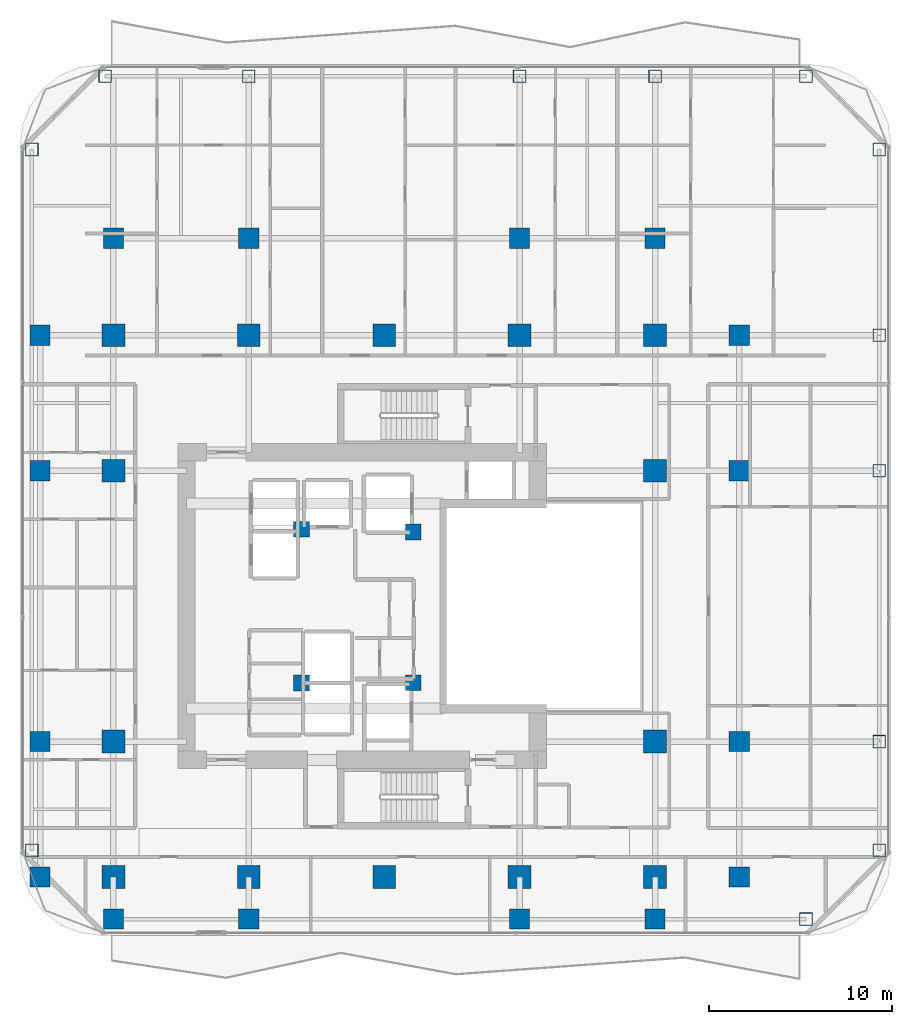
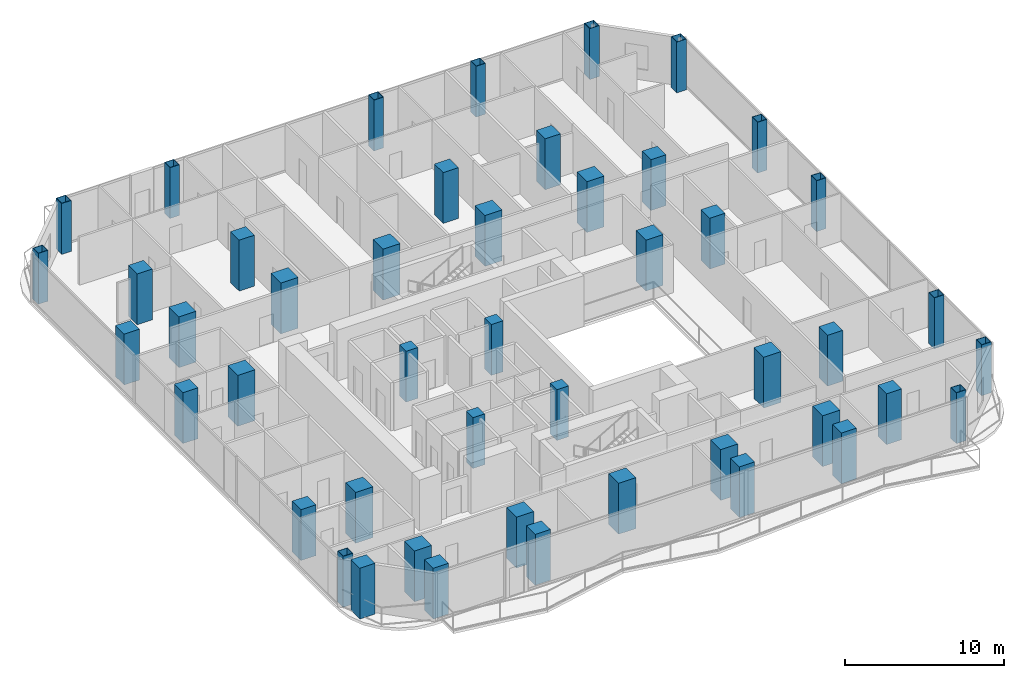
# One storey, part 1 of 26: 47 columns.
"""IFC4 building model written with IfcOpenShell, lengths in metres."""

from ifc_helpers import new_model, si_unit, direction, frame, origin, origin_2d, place, context, subcontext, project, spatial, rectangle, hollow_rectangle, extrude, material, material_profile, profile_set, type_object, element, save


model = new_model("IFC4")

# Units and contexts
model_context = context("Model", 3, precision=1e-05, world=origin(), true_north=direction((0.0, 1.0)))
body_context = subcontext(model_context, "Body", "Model", "MODEL_VIEW")
ifc_project = project(units=[si_unit("LENGTHUNIT", "METRE"), si_unit("AREAUNIT", "SQUARE_METRE"), si_unit("VOLUMEUNIT", "CUBIC_METRE"), si_unit("PLANEANGLEUNIT", "RADIAN"), si_unit("MASSUNIT", "GRAM", prefix="KILO")], contexts=[model_context])

# Site, building, storey
site_placement = place(None, origin())
site = spatial("IfcSite", under=ifc_project, at=site_placement, CompositionType="ELEMENT")
building_placement = place(site_placement, origin())
building = spatial("IfcBuilding", under=site, at=building_placement, Name="Khorvyn Point Tower", CompositionType="ELEMENT")
storey_placement = place(building_placement, frame((0.0, 0.0, 113.39990234375)))
storey = spatial("IfcBuildingStorey", under=building, at=storey_placement, Name="L28", CompositionType="ELEMENT", Elevation=113.39990234375)

# Columns
ifc_material_1 = material(Name="Concrete C40/50", Category="concrete")
ifc_material_profile_1 = material_profile(ifc_material_1, rectangle(XDim=0.85009765625, YDim=0.85009765625, at=origin_2d()))
ifc_profile_set_1 = profile_set([ifc_material_profile_1], Name="Concrete C40/50 RC850x850")
column_type_1 = type_object("IfcColumnType", Name="Concrete C40/50 Column RC850x850", PredefinedType="COLUMN", material=ifc_profile_set_1)
for number, where, z_axis, x_axis, name in (
    (1, (-4.52001953125, -4.199951171875, 0.0), (0.0, 0.0, 1.0), (1.0, 0.0, 0.0), "L28 Crown Core Spine Column 1"),
    (2, (1.580078125, -4.179931640625, 0.0), (0.0, 0.0, 1.0), (1.0, 0.0, 0.0), "L28 Crown Core Spine Column 2"),
    (3, (1.580078125, 4.050048828125, 0.0), (0.0, 0.0, 1.0), (1.0, 0.0, 0.0), "L28 Crown Core Spine Column 3"),
    (4, (-4.52001953125, 4.199951171875, 0.0), (0.0, 0.0, 1.0), (1.0, 0.0, 0.0), "L28 Crown Core Spine Column 4"),
):
    element("IfcColumn", number, at=place(storey_placement, frame(where, z_axis=z_axis, x_axis=x_axis)), inside=storey, type_object=column_type_1, Name=name, PredefinedType="COLUMN", context=body_context, shape_type="SweptSolid", body=[
        extrude(rectangle(XDim=0.85009765625, YDim=0.85009765625, at=origin_2d()), origin(), (0.0, 0.0, 1.0), 3.900146484375),
    ])
ifc_material_2 = material(Name="Concrete C45/55", Category="concrete")
ifc_material_profile_2 = material_profile(ifc_material_2, rectangle(XDim=1.10009765625, YDim=1.10009765625, at=origin_2d()))
ifc_profile_set_2 = profile_set([ifc_material_profile_2], Name="Concrete C45/55 RC1100x1100")
column_type_2 = type_object("IfcColumnType", Name="Concrete C45/55 Column RC1100x1100", PredefinedType="COLUMN", material=ifc_profile_set_2)
for number, where, z_axis, x_axis, name in (
    (5, (-18.800048828125, -14.800048828125, 0.0), (0.0, 0.0, 1.0), (1.0, 0.0, 0.0), "L28 Intermediate Column ICW--14"),
    (6, (-18.800048828125, -7.39990234375, 0.0), (0.0, 0.0, 1.0), (1.0, 0.0, 0.0), "L28 Intermediate Column ICW--7"),
    (7, (-18.800048828125, 7.39990234375, 0.0), (0.0, 0.0, 1.0), (1.0, 0.0, 0.0), "L28 Intermediate Column ICW-7"),
    (8, (-18.800048828125, 14.800048828125, 0.0), (0.0, 0.0, 1.0), (1.0, 0.0, 0.0), "L28 Intermediate Column ICW-14"),
    (9, (19.39990234375, -14.800048828125, 0.0), (0.0, 0.0, 1.0), (1.0, 0.0, 0.0), "L28 Intermediate Column ICE--14"),
    (10, (19.39990234375, -7.39990234375, 0.0), (0.0, 0.0, 1.0), (1.0, 0.0, 0.0), "L28 Intermediate Column ICE--7"),
    (11, (19.39990234375, 7.39990234375, 0.0), (0.0, 0.0, 1.0), (1.0, 0.0, 0.0), "L28 Intermediate Column ICE-7"),
    (12, (19.39990234375, 14.800048828125, 0.0), (0.0, 0.0, 1.0), (1.0, 0.0, 0.0), "L28 Intermediate Column ICE-14"),
    (13, (-14.800048828125, -17.10009765625, 0.0), (0.0, 0.0, 1.0), (1.0, 0.0, 0.0), "L28 Intermediate Column ICS--14"),
    (14, (-7.39990234375, -17.10009765625, 0.0), (0.0, 0.0, 1.0), (1.0, 0.0, 0.0), "L28 Intermediate Column ICS--7"),
    (15, (7.39990234375, -17.10009765625, 0.0), (0.0, 0.0, 1.0), (1.0, 0.0, 0.0), "L28 Intermediate Column ICS-7"),
    (16, (14.800048828125, -17.10009765625, 0.0), (0.0, 0.0, 1.0), (1.0, 0.0, 0.0), "L28 Intermediate Column ICS-14"),
    (17, (-14.800048828125, 20.10009765625, 0.0), (0.0, 0.0, 1.0), (1.0, 0.0, 0.0), "L28 Intermediate Column ICN--14"),
    (18, (-7.39990234375, 20.10009765625, 0.0), (0.0, 0.0, 1.0), (1.0, 0.0, 0.0), "L28 Intermediate Column ICN--7"),
    (19, (7.39990234375, 20.10009765625, 0.0), (0.0, 0.0, 1.0), (1.0, 0.0, 0.0), "L28 Intermediate Column ICN-7"),
    (20, (14.800048828125, 20.10009765625, 0.0), (0.0, 0.0, 1.0), (1.0, 0.0, 0.0), "L28 Intermediate Column ICN-14"),
):
    element("IfcColumn", number, at=place(storey_placement, frame(where, z_axis=z_axis, x_axis=x_axis)), inside=storey, type_object=column_type_2, Name=name, PredefinedType="COLUMN", context=body_context, shape_type="SweptSolid", body=[
        extrude(rectangle(XDim=1.10009765625, YDim=1.10009765625, at=origin_2d()), origin(), (0.0, 0.0, 1.0), 3.900146484375),
    ])
ifc_material_3 = material(Name="Concrete C50/60", Category="concrete")
ifc_material_profile_3 = material_profile(ifc_material_3, rectangle(XDim=1.25, YDim=1.25, at=origin_2d()))
ifc_profile_set_3 = profile_set([ifc_material_profile_3], Name="Concrete C50/60 RC1250x1250")
column_type_3 = type_object("IfcColumnType", Name="Concrete C50/60 Column RC1250x1250", PredefinedType="COLUMN", material=ifc_profile_set_3)
for number, where, z_axis, x_axis, name in (
    (21, (-14.800048828125, -14.800048828125, 0.0), (0.0, 0.0, 1.0), (1.0, 0.0, 0.0), "L28 Mega-Column MC-01"),
    (22, (-7.39990234375, -14.800048828125, 0.0), (0.0, 0.0, 1.0), (1.0, 0.0, 0.0), "L28 Mega-Column MC-02"),
    (23, (0.0, -14.800048828125, 0.0), (0.0, 0.0, 1.0), (1.0, 0.0, 0.0), "L28 Mega-Column MC-03"),
    (24, (7.39990234375, -14.800048828125, 0.0), (0.0, 0.0, 1.0), (1.0, 0.0, 0.0), "L28 Mega-Column MC-04"),
    (25, (14.800048828125, -14.800048828125, 0.0), (0.0, 0.0, 1.0), (1.0, 0.0, 0.0), "L28 Mega-Column MC-05"),
    (26, (-14.800048828125, 14.800048828125, 0.0), (0.0, 0.0, 1.0), (1.0, 0.0, 0.0), "L28 Mega-Column MC-06"),
    (27, (-7.39990234375, 14.800048828125, 0.0), (0.0, 0.0, 1.0), (1.0, 0.0, 0.0), "L28 Mega-Column MC-07"),
    (28, (0.0, 14.800048828125, 0.0), (0.0, 0.0, 1.0), (1.0, 0.0, 0.0), "L28 Mega-Column MC-08"),
    (29, (7.39990234375, 14.800048828125, 0.0), (0.0, 0.0, 1.0), (1.0, 0.0, 0.0), "L28 Mega-Column MC-09"),
    (30, (14.800048828125, 14.800048828125, 0.0), (0.0, 0.0, 1.0), (1.0, 0.0, 0.0), "L28 Mega-Column MC-10"),
    (31, (-14.800048828125, -7.39990234375, 0.0), (0.0, 0.0, 1.0), (1.0, 0.0, 0.0), "L28 Mega-Column MC-11"),
    (32, (-14.800048828125, 7.39990234375, 0.0), (0.0, 0.0, 1.0), (1.0, 0.0, 0.0), "L28 Mega-Column MC-12"),
    (33, (14.800048828125, -7.39990234375, 0.0), (0.0, 0.0, 1.0), (1.0, 0.0, 0.0), "L28 Mega-Column MC-13"),
    (34, (14.800048828125, 7.39990234375, 0.0), (0.0, 0.0, 1.0), (1.0, 0.0, 0.0), "L28 Mega-Column MC-14"),
):
    element("IfcColumn", number, at=place(storey_placement, frame(where, z_axis=z_axis, x_axis=x_axis)), inside=storey, type_object=column_type_3, Name=name, PredefinedType="COLUMN", context=body_context, shape_type="SweptSolid", body=[
        extrude(rectangle(XDim=1.25, YDim=1.25, at=origin_2d()), origin(), (0.0, 0.0, 1.0), 3.900146484375),
    ])
ifc_material_4 = material(Name="Steel S450", Category="steel")
ifc_material_profile_4 = material_profile(ifc_material_4, hollow_rectangle(XDim=0.699951171875, YDim=0.699951171875, WallThickness=0.031982421875, at=origin_2d()))
ifc_profile_set_4 = profile_set([ifc_material_profile_4], Name="Steel S450 BOX700x700x32")
column_type_4 = type_object("IfcColumnType", Name="Steel S450 Structural Column BOX700x700x32", PredefinedType="COLUMN", material=ifc_profile_set_4)
for number, where, z_axis, x_axis, name in (
    (35, (23.050048828125, -17.10009765625, 0.0), (0.0, 0.0, 1.0), (1.0, 0.0, 0.0), "L28 Perimeter Tube Column TC-01"),
    (36, (-15.25, 28.949951171875, 0.0), (0.0, 0.0, 1.0), (1.0, 0.0, 0.0), "L28 Perimeter Tube Column TC-02"),
    (37, (23.050048828125, 28.949951171875, 0.0), (0.0, 0.0, 1.0), (1.0, 0.0, 0.0), "L28 Perimeter Tube Column TC-03"),
    (38, (-19.25, -13.35009765625, 0.0), (0.0, 0.0, 1.0), (1.0, 0.0, 0.0), "L28 Perimeter Tube Column TC-04"),
    (39, (-19.25, 24.949951171875, 0.0), (0.0, 0.0, 1.0), (1.0, 0.0, 0.0), "L28 Perimeter Tube Column TC-05"),
    (40, (27.050048828125, -13.35009765625, 0.0), (0.0, 0.0, 1.0), (1.0, 0.0, 0.0), "L28 Perimeter Tube Column TC-06"),
    (41, (27.050048828125, 24.949951171875, 0.0), (0.0, 0.0, 1.0), (1.0, 0.0, 0.0), "L28 Perimeter Tube Column TC-07"),
    (42, (-7.39990234375, 28.949951171875, 0.0), (0.0, 0.0, 1.0), (1.0, 0.0, 0.0), "L28 Perimeter Tube Column TC-08"),
    (43, (7.39990234375, 28.949951171875, 0.0), (0.0, 0.0, 1.0), (1.0, 0.0, 0.0), "L28 Perimeter Tube Column TC-09"),
    (44, (14.800048828125, 28.949951171875, 0.0), (0.0, 0.0, 1.0), (1.0, 0.0, 0.0), "L28 Perimeter Tube Column TC-10"),
    (45, (27.050048828125, -7.39990234375, 0.0), (0.0, 0.0, 1.0), (1.0, 0.0, 0.0), "L28 Perimeter Tube Column TC-11"),
    (46, (27.050048828125, 7.39990234375, 0.0), (0.0, 0.0, 1.0), (1.0, 0.0, 0.0), "L28 Perimeter Tube Column TC-12"),
    (47, (27.050048828125, 14.800048828125, 0.0), (0.0, 0.0, 1.0), (1.0, 0.0, 0.0), "L28 Perimeter Tube Column TC-13"),
):
    element("IfcColumn", number, at=place(storey_placement, frame(where, z_axis=z_axis, x_axis=x_axis)), inside=storey, type_object=column_type_4, Name=name, PredefinedType="COLUMN", context=body_context, shape_type="SweptSolid", body=[
        extrude(hollow_rectangle(XDim=0.699951171875, YDim=0.699951171875, WallThickness=0.031982421875, at=origin_2d()), origin(), (0.0, 0.0, 1.0), 3.900146484375),
    ])

save(model, "model.ifc")
